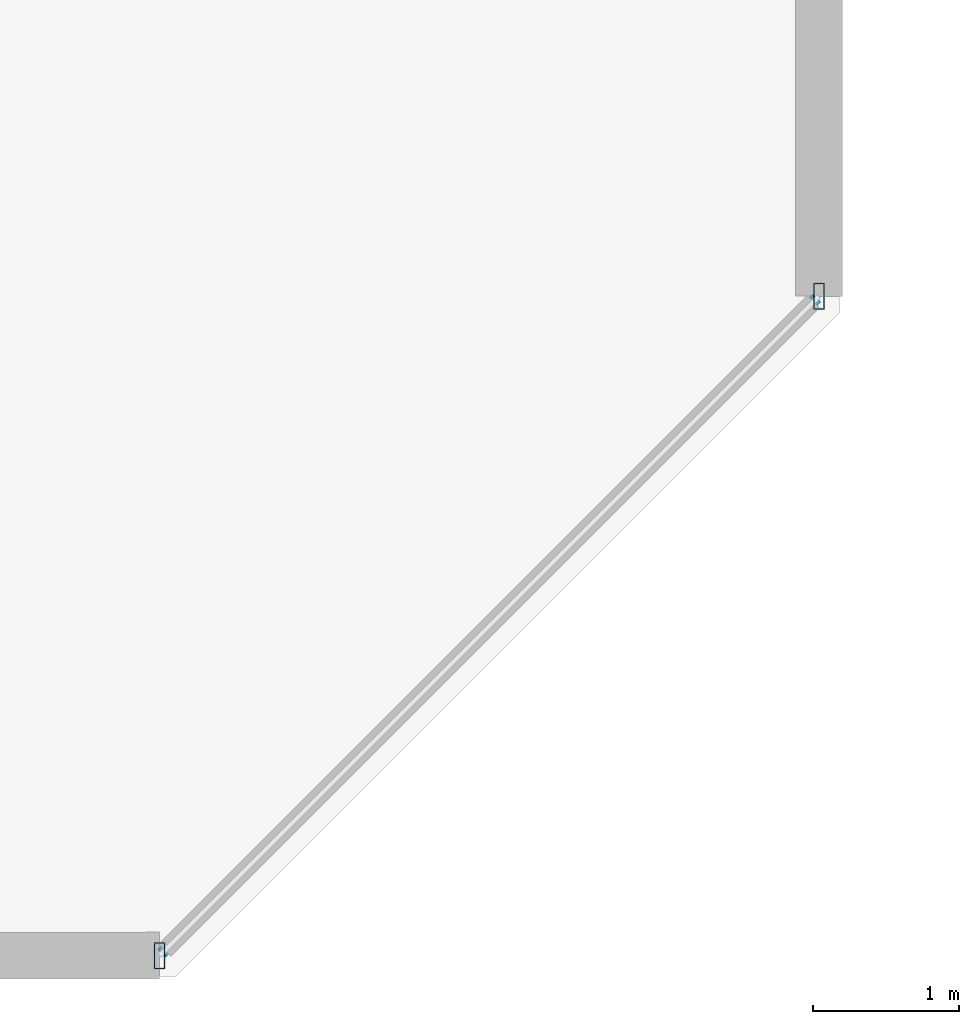
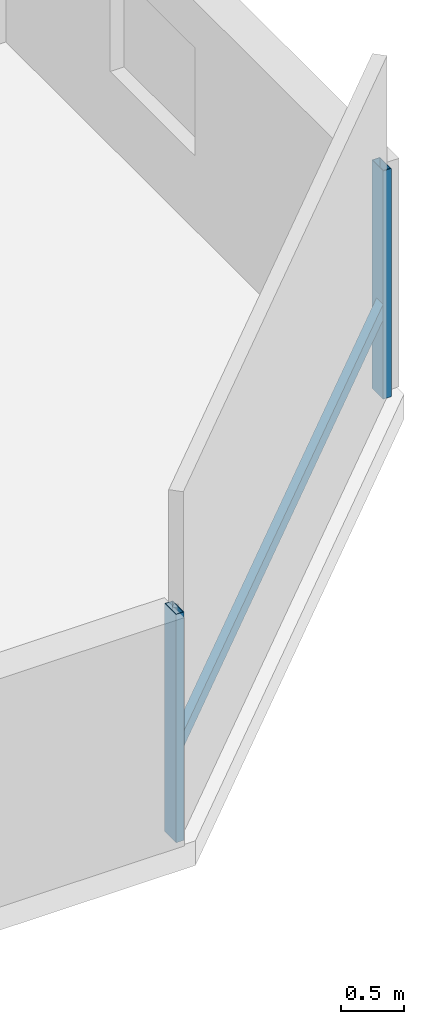
# One storey, part 12 of 34: 3 members, 1 element without a shape of its own.
"""IFC4 building model written with IfcOpenShell, lengths in metres."""

from ifc_helpers import new_model, si_unit, direction, frame, origin, origin_2d, place, context, subcontext, project, spatial, hollow_rectangle, extrude, material, material_profile, profile_set, type_object, element, aggregate, save


model = new_model("IFC4")

# Units and contexts
model_context = context("Model", 3, precision=1e-05, world=origin(), true_north=direction((0.0, 1.0)))
body_context = subcontext(model_context, "Body", "Model", "MODEL_VIEW")
ifc_project = project(units=[si_unit("LENGTHUNIT", "METRE"), si_unit("AREAUNIT", "SQUARE_METRE"), si_unit("VOLUMEUNIT", "CUBIC_METRE"), si_unit("PLANEANGLEUNIT", "RADIAN"), si_unit("MASSUNIT", "GRAM", prefix="KILO")], contexts=[model_context])

# Site, building, storey
site_placement = place(None, origin())
site = spatial("IfcSite", under=ifc_project, at=site_placement, CompositionType="ELEMENT")
building_placement = place(site_placement, origin())
building = spatial("IfcBuilding", under=site, at=building_placement, Name="Thornwick Lancets Civic Towers", CompositionType="ELEMENT")
storey_placement = place(building_placement, frame((0.0, 0.0, 251.10009765625)))
storey = spatial("IfcBuildingStorey", under=building, at=storey_placement, Name="L67", CompositionType="ELEMENT", Elevation=251.10009765625)

# Curtain wall, members
ifc_material_1 = material(Name="High-zone chamfered-corner unitised glass curtain wall", Category="glass")
curtain_wall_type = type_object("IfcCurtainWallType", Name="CW_SYS_05", PredefinedType="NOTDEFINED", material=ifc_material_1)
curtain_wall_placement = place(storey_placement, origin())
curtain_wall = element("IfcCurtainWall", 1, at=curtain_wall_placement, inside=storey, type_object=curtain_wall_type, Name="L67 Curtain Wall CW-L67-B-E1", PredefinedType="NOTDEFINED")
ifc_material_2 = material(Name="Thermally broken bronze aluminium S355", Category="steel")
ifc_material_profile_1 = material_profile(ifc_material_2, hollow_rectangle(XDim=0.074951171875, YDim=0.179931640625, WallThickness=0.006103515625, at=origin_2d()), Name="RHS 180x75x6")
ifc_profile_set_1 = profile_set([ifc_material_profile_1], Name="Thermally broken bronze aluminium S355")
member_type_1 = type_object("IfcMemberType", Name="CW_MUL_180", PredefinedType="MULLION", material=ifc_profile_set_1)
member_1_placement = place(storey_placement, frame((107.7509765625, 3.24169921875, 0.0), z_axis=(0.0, 0.0, 1.0), x_axis=(1.0, 0.0, 0.0)))
member_1 = element("IfcMember", 2, at=member_1_placement, type_object=member_type_1, Name="CW-L67-B-E1 Mullion 0", PredefinedType="MULLION", context=body_context, shape_type="SweptSolid", body=[
    extrude(hollow_rectangle(XDim=0.074951171875, YDim=0.179931640625, WallThickness=0.006103515625, at=origin_2d()), origin(), (0.0, 0.0, 1.0), 2.219970703125),
])
member_2_placement = place(storey_placement, frame((112.25830078125, 7.7490234375, 0.0), z_axis=(0.0, 0.0, 1.0), x_axis=(1.0, 0.0, 0.0)))
member_2 = element("IfcMember", 3, at=member_2_placement, type_object=member_type_1, Name="CW-L67-B-E1 Mullion 1", PredefinedType="MULLION", context=body_context, shape_type="SweptSolid", body=[
    extrude(hollow_rectangle(XDim=0.074951171875, YDim=0.179931640625, WallThickness=0.006103515625, at=origin_2d()), origin(), (0.0, 0.0, 1.0), 2.219970703125),
])
ifc_material_profile_2 = material_profile(ifc_material_2, hollow_rectangle(XDim=0.074951171875, YDim=0.14990234375, WallThickness=0.0048828125, at=origin_2d()), Name="RHS 150x75x5")
ifc_profile_set_2 = profile_set([ifc_material_profile_2], Name="Thermally broken bronze aluminium S355")
member_type_2 = type_object("IfcMemberType", Name="CW_TRN_150", PredefinedType="USERDEFINED", material=ifc_profile_set_2)
member_3_placement = place(storey_placement, frame((107.76513671875, 3.255859375, 0.849853515625), z_axis=(0.707106781187, 0.707106781187, 0.0), x_axis=(-0.707106781187, 0.707106781187, 0.0)))
member_3 = element("IfcMember", 4, at=member_3_placement, type_object=member_type_2, Name="CW-L67-B-E1 Transom 0", ObjectType="TRANSOM", PredefinedType="USERDEFINED", context=body_context, shape_type="SweptSolid", body=[
    extrude(hollow_rectangle(XDim=0.074951171875, YDim=0.14990234375, WallThickness=0.0048828125, at=origin_2d()), origin(), (0.0, 0.0, 1.0), 6.334228515625),
])
aggregate(curtain_wall, [member_1, member_2, member_3])

save(model, "model.ifc")
